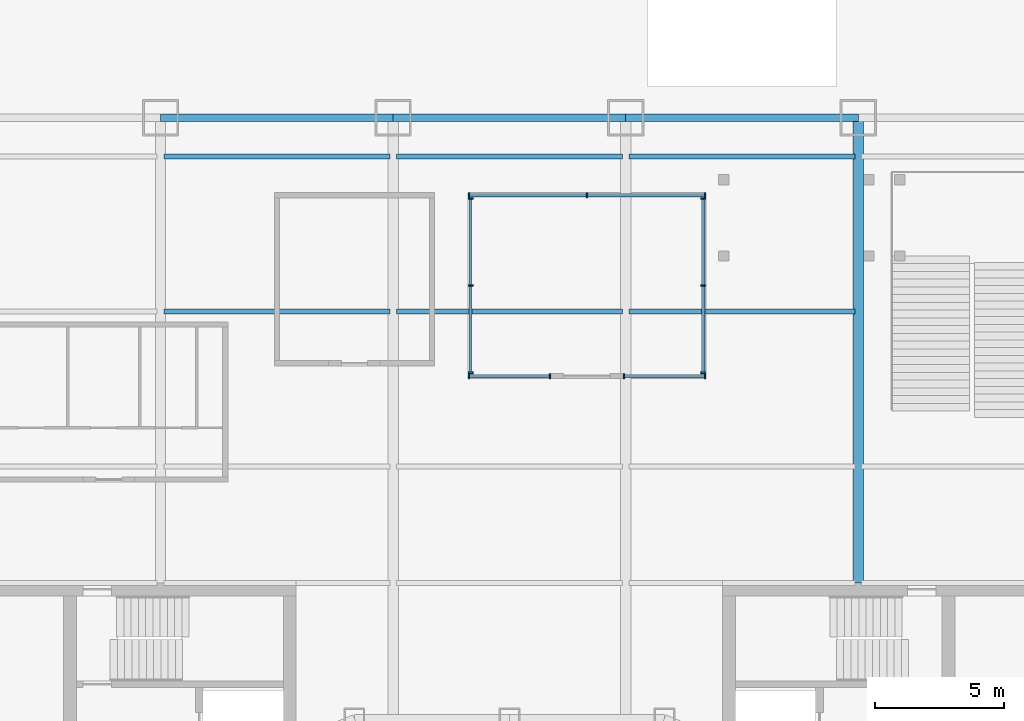
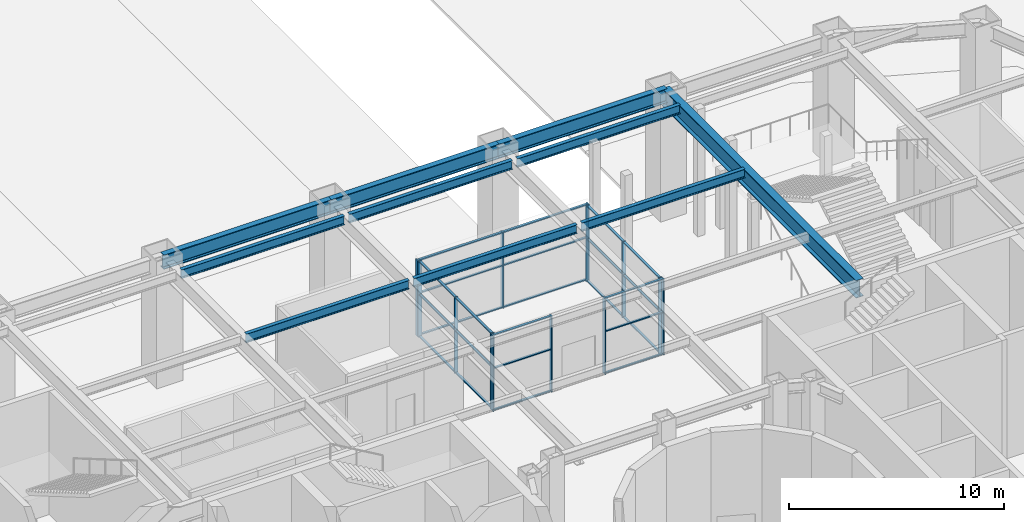
# One storey, part 9 of 20: 37 members, 10 beams, 5 elements without a shape of their own.
"""IFC4 building model written with IfcOpenShell, lengths in metres."""

import ifcopenshell
import ifcopenshell.guid

model = None  # the IFC model being written
_history = None  # IfcOwnerHistory: only IFC2X3 demands one
_inside = {}  # id of a spatial element -> (the spatial element, [elements in it])
_under = {}  # id of a project, library or spatial element -> (it, [spatial elements below it])
_declared = {}  # id of a project -> (the project, [libraries it declares])
_typed = {}  # id of a type object -> (the type object, [elements of that type])
_made_of = {}  # id of a material, layer set ... -> (it, [elements and type objects made of it])


def new_model(schema):
    """Start an empty IFC model of exactly this schema.

    Asked for "IFC4X3", IfcOpenShell would pick the latest addendum, in which some entities
    have other attributes; the version numbers below select the first issue.
    IFC2X3 requires an IfcOwnerHistory on every rooted entity: one is made here for all.
    """
    global model, _history
    if schema == "IFC4X3":
        model = ifcopenshell.file(schema_version=(4, 3, 0, 0))
    else:
        model = ifcopenshell.file(schema=schema)
    _inside.clear()
    _under.clear()
    _declared.clear()
    _typed.clear()
    _made_of.clear()
    _history = None
    if model.schema == "IFC2X3":
        org = make("IfcOrganization", Name="unknown")
        user = make(
            "IfcPersonAndOrganization",
            ThePerson=make("IfcPerson", FamilyName="unknown"),
            TheOrganization=org,
        )
        app = make(
            "IfcApplication",
            ApplicationDeveloper=org,
            Version="unknown",
            ApplicationFullName="unknown",
            ApplicationIdentifier="unknown",
        )
        _history = make(
            "IfcOwnerHistory",
            OwningUser=user,
            OwningApplication=app,
            ChangeAction="ADDED",
            CreationDate=0,
        )
    return model


def make(cls, **values):
    """One entity of the class cls with the attributes given. An attribute that is None is left unset."""
    return model.create_entity(
        cls, **{name: value for name, value in values.items() if value is not None}
    )


def rooted(cls, **values):
    """An entity with a GlobalId (a new one), such as an element, a storey or a relation."""
    return make(cls, GlobalId=ifcopenshell.guid.new(), OwnerHistory=_history, **values)


def si_unit(unit_type, name, prefix=None):
    """IfcSIUnit, for example si_unit("LENGTHUNIT", "METRE", prefix="MILLI")."""
    return make("IfcSIUnit", UnitType=unit_type, Prefix=prefix, Name=name)


def assignment(units):
    """IfcUnitAssignment: the units of a project."""
    return None if units is None else make("IfcUnitAssignment", Units=units)


def point(xyz):
    """IfcCartesianPoint."""
    return None if xyz is None else make("IfcCartesianPoint", Coordinates=xyz)


def direction(xyz):
    """IfcDirection."""
    return None if xyz is None else make("IfcDirection", DirectionRatios=xyz)


def frame(location, z_axis=None, x_axis=None):
    """IfcAxis2Placement3D, a coordinate frame: its origin and axes. An axis left out is left unset."""
    return make(
        "IfcAxis2Placement3D",
        Location=point(location),
        Axis=direction(z_axis),
        RefDirection=direction(x_axis),
    )


def frame_2d(location, x_axis=None):
    """IfcAxis2Placement2D, a coordinate frame in the plane: its origin and x axis."""
    return make(
        "IfcAxis2Placement2D", Location=point(location), RefDirection=direction(x_axis)
    )


def origin():
    """The frame at (0, 0, 0) with its axes left unset."""
    return frame((0.0, 0.0, 0.0))


def origin_2d():
    """The frame at (0, 0) in the plane with its x axis left unset."""
    return frame_2d((0.0, 0.0))


def place(relative_to, where):
    """IfcLocalPlacement: puts the frame where relative to a parent placement (None: the world)."""
    return make(
        "IfcLocalPlacement", PlacementRelTo=relative_to, RelativePlacement=where
    )


def context(
    kind, dimensions, precision=None, world=None, true_north=None, identifier=None
):
    """IfcGeometricRepresentationContext, for example the 3D "Model" context."""
    return make(
        "IfcGeometricRepresentationContext",
        ContextIdentifier=identifier,
        ContextType=kind,
        CoordinateSpaceDimension=dimensions,
        Precision=precision,
        WorldCoordinateSystem=world,
        TrueNorth=true_north,
    )


def subcontext(parent, identifier, kind, view, scale=None):
    """IfcGeometricRepresentationSubContext, for example "Body" below "Model"."""
    return make(
        "IfcGeometricRepresentationSubContext",
        ContextIdentifier=identifier,
        ContextType=kind,
        ParentContext=parent,
        TargetScale=scale,
        TargetView=view,
    )


def project(units=None, contexts=None):
    """IfcProject with its units and contexts."""
    return rooted(
        "IfcProject",
        Name="project",
        RepresentationContexts=contexts,
        UnitsInContext=assignment(units),
    )


def spatial(cls, under=None, at=None, **own):
    """A site, building, storey or space (cls), placed at a placement, below another one or the project."""
    s = rooted(cls, ObjectPlacement=at, **own)
    if under is not None:
        _under.setdefault(under.id(), (under, []))[1].append(s)
    return s


def profile(cls, at=None, kind="AREA", **sizes):
    """A parametric profile (cls). Its sizes go by their IFC names, for example OverallWidth=200.0."""
    return make(cls, ProfileType=kind, Position=at, **sizes)


def rectangle(**sizes):
    """IfcRectangleProfileDef."""
    return profile("IfcRectangleProfileDef", **sizes)


def i_section(**sizes):
    """IfcIShapeProfileDef."""
    return profile("IfcIShapeProfileDef", **sizes)


def extrude(swept, where, along, depth):
    """IfcExtrudedAreaSolid: the profile swept, set in the frame where, extruded along a direction by depth."""
    return make(
        "IfcExtrudedAreaSolid",
        SweptArea=swept,
        Position=where,
        ExtrudedDirection=direction(along),
        Depth=depth,
    )


def shape(context_of_items, identifier, shape_type, items):
    """IfcShapeRepresentation: the items that make up one representation, for example the "Body"."""
    return make(
        "IfcShapeRepresentation",
        ContextOfItems=context_of_items,
        RepresentationIdentifier=identifier,
        RepresentationType=shape_type,
        Items=items,
    )


def material(Name=None, Category=None):
    """IfcMaterial."""
    return make("IfcMaterial", Name=Name, Category=Category)


def layer(
    of_material, thickness, ventilated=None, Name=None, Category=None, Priority=None
):
    """IfcMaterialLayer: one layer of a wall or slab, of a material (None: an air gap)."""
    return make(
        "IfcMaterialLayer",
        Material=of_material,
        LayerThickness=thickness,
        IsVentilated=ventilated,
        Name=Name,
        Category=Category,
        Priority=Priority,
    )


def layer_set(layers, Name=None):
    """IfcMaterialLayerSet."""
    return make("IfcMaterialLayerSet", MaterialLayers=layers, LayerSetName=Name)


def material_profile(
    of_material, cross_section, Name=None, Category=None, Priority=None
):
    """IfcMaterialProfile: a cross section and its material."""
    return make(
        "IfcMaterialProfile",
        Name=Name,
        Material=of_material,
        Profile=cross_section,
        Priority=Priority,
        Category=Category,
    )


def profile_set(profiles, Name=None, composite=None):
    """IfcMaterialProfileSet."""
    return make(
        "IfcMaterialProfileSet",
        Name=Name,
        MaterialProfiles=profiles,
        CompositeProfile=composite,
    )


def made_of(thing, what):
    """Note that an element or type object is made of a material, layer set ...; save() writes the relation."""
    if what is not None:
        _made_of.setdefault(what.id(), (what, []))[1].append(thing)
    return thing


def type_object(cls, material=None, **own):
    """A type object (cls), such as IfcWallType, which elements share."""
    return made_of(rooted(cls, **own), material)


def element(
    cls,
    number,
    at=None,
    inside=None,
    cuts=None,
    type_object=None,
    material=None,
    context=None,
    identifier="Body",
    shape_type=None,
    held_by="IfcProductDefinitionShape",
    body=None,
    shapes=None,
    **own,
):
    """One element of the class cls, such as IfcWall. Its Tag is "e" and its number.

    at: its placement. inside: the storey or other place that contains it. cuts: it is an
    opening in that element (IfcRelVoidsElement). A single representation is given by context,
    identifier, shape_type and body (its items); several are given by shapes. held_by: the class
    of the entity that holds the representations. save() writes the other relations.
    """
    e = rooted(cls, Tag="e%d" % number, ObjectPlacement=at, **own)
    if body is not None:
        shapes = [shape(context, identifier, shape_type, body)]
    if shapes is not None:
        e.Representation = make(held_by, Representations=shapes)
    if inside is not None:
        _inside.setdefault(inside.id(), (inside, []))[1].append(e)
    if cuts is not None:
        rooted(
            "IfcRelVoidsElement", RelatingBuildingElement=cuts, RelatedOpeningElement=e
        )
    if type_object is not None:
        _typed.setdefault(type_object.id(), (type_object, []))[1].append(e)
    return made_of(e, material)


def aggregate(whole, parts):
    """IfcRelAggregates: a whole, such as a stair, and the parts it consists of."""
    return rooted("IfcRelAggregates", RelatingObject=whole, RelatedObjects=parts)


def save(model, path):
    """Write the relations noted so far, then the file.

    IfcRelAggregates (storeys below a building ...), IfcRelContainedInSpatialStructure (elements
    in a storey), IfcRelDefinesByType, IfcRelAssociatesMaterial and IfcRelDeclares: one each for
    every whole, place, type object, material and project.
    """
    for whole, parts in _under.values():
        aggregate(whole, parts)
    for where, things in _inside.values():
        rooted(
            "IfcRelContainedInSpatialStructure",
            RelatedElements=things,
            RelatingStructure=where,
        )
    for kind, things in _typed.values():
        rooted("IfcRelDefinesByType", RelatedObjects=things, RelatingType=kind)
    for what, things in _made_of.values():
        rooted("IfcRelAssociatesMaterial", RelatedObjects=things, RelatingMaterial=what)
    for by, libraries in _declared.values():
        rooted("IfcRelDeclares", RelatingContext=by, RelatedDefinitions=libraries)
    model.write(path)


model = new_model("IFC4")

# Units and contexts
model_context = context("Model", 3, precision=1e-05, world=origin(), true_north=direction((0.0, 1.0)))
body_context = subcontext(model_context, "Body", "Model", "MODEL_VIEW")
ifc_project = project(units=[si_unit("LENGTHUNIT", "METRE"), si_unit("AREAUNIT", "SQUARE_METRE"), si_unit("VOLUMEUNIT", "CUBIC_METRE"), si_unit("PLANEANGLEUNIT", "RADIAN"), si_unit("MASSUNIT", "GRAM", prefix="KILO")], contexts=[model_context])

# Site, building, storey
site_placement = place(None, origin())
site = spatial("IfcSite", under=ifc_project, at=site_placement, CompositionType="ELEMENT")
building_placement = place(site_placement, origin())
building = spatial("IfcBuilding", under=site, at=building_placement, Name="Siwar Civic Tower", CompositionType="ELEMENT")
storey_placement = place(building_placement, origin())
storey = spatial("IfcBuildingStorey", under=building, at=storey_placement, Name="L00", CompositionType="ELEMENT", Elevation=0.0)

# Curtain wall, members
ifc_material_1 = material(Name="Aluminium and glass", Category="aluminium")
ifc_layer = layer(ifc_material_1, 0.199951171875)
ifc_layer_set = layer_set([ifc_layer], Name="Aluminium and glass")
curtain_wall_type = type_object("IfcCurtainWallType", Name="GND-CWG", PredefinedType="NOTDEFINED", material=ifc_layer_set)
curtain_wall_1_placement = place(storey_placement, origin())
curtain_wall_1 = element("IfcCurtainWall", 1, at=curtain_wall_1_placement, inside=storey, type_object=curtain_wall_type, Name="Glazed screen P07", PredefinedType="NOTDEFINED")
ifc_material_2 = material(Name="Aluminium", Category="aluminium")
ifc_material_profile_1 = material_profile(ifc_material_2, rectangle(XDim=0.199951171875, YDim=0.06005859375, at=origin_2d()), Name="AL 200x60")
ifc_profile_set_1 = profile_set([ifc_material_profile_1], Name="Aluminium")
member_type_1 = type_object("IfcMemberType", Name="GND-CWG-MULLION", PredefinedType="MULLION", material=ifc_profile_set_1)
member_1_placement = place(storey_placement, frame((-1.570068359375, 21.5, 0.0), z_axis=(0.0, 0.0, 1.0), x_axis=(0.0, 1.0, 0.0)))
member_1 = element("IfcMember", 2, at=member_1_placement, type_object=member_type_1, Name="CW-G mullion 1", PredefinedType="MULLION", context=body_context, shape_type="SweptSolid", body=[
    extrude(rectangle(XDim=0.199951171875, YDim=0.06005859375, at=origin_2d()), origin(), (0.0, 0.0, 1.0), 4.300048828125),
])
member_2_placement = place(storey_placement, frame((1.570068359375, 21.5, 0.0), z_axis=(0.0, 0.0, 1.0), x_axis=(0.0, 1.0, 0.0)))
member_2 = element("IfcMember", 3, at=member_2_placement, type_object=member_type_1, Name="CW-G mullion 2", PredefinedType="MULLION", context=body_context, shape_type="SweptSolid", body=[
    extrude(rectangle(XDim=0.199951171875, YDim=0.06005859375, at=origin_2d()), origin(), (0.0, 0.0, 1.0), 4.300048828125),
])

curtain_wall_2_placement = place(storey_placement, origin())
curtain_wall_2 = element("IfcCurtainWall", 4, at=curtain_wall_2_placement, inside=storey, type_object=curtain_wall_type, Name="Glazed screen P07", PredefinedType="NOTDEFINED")
member_3_placement = place(storey_placement, frame((4.429931640625, 21.5, 0.0), z_axis=(0.0, 0.0, 1.0), x_axis=(0.0, 1.0, 0.0)))
member_3 = element("IfcMember", 5, at=member_3_placement, type_object=member_type_1, Name="CW-G mullion 1", PredefinedType="MULLION", context=body_context, shape_type="SweptSolid", body=[
    extrude(rectangle(XDim=0.199951171875, YDim=0.06005859375, at=origin_2d()), origin(), (0.0, 0.0, 1.0), 4.300048828125),
])
member_4_placement = place(storey_placement, frame((7.570068359375, 21.5, 0.0), z_axis=(0.0, 0.0, 1.0), x_axis=(0.0, 1.0, 0.0)))
member_4 = element("IfcMember", 6, at=member_4_placement, type_object=member_type_1, Name="CW-G mullion 2", PredefinedType="MULLION", context=body_context, shape_type="SweptSolid", body=[
    extrude(rectangle(XDim=0.199951171875, YDim=0.06005859375, at=origin_2d()), origin(), (0.0, 0.0, 1.0), 4.300048828125),
])

curtain_wall_3_placement = place(storey_placement, origin())
curtain_wall_3 = element("IfcCurtainWall", 7, at=curtain_wall_3_placement, inside=storey, type_object=curtain_wall_type, Name="Glazed screen P07", PredefinedType="NOTDEFINED")
member_5_placement = place(storey_placement, frame((7.5, 21.6298828125, 0.0), z_axis=(0.0, 0.0, 1.0), x_axis=(-1.0, 0.0, 0.0)))
member_5 = element("IfcMember", 8, at=member_5_placement, type_object=member_type_1, Name="CW-G mullion 1", PredefinedType="MULLION", context=body_context, shape_type="SweptSolid", body=[
    extrude(rectangle(XDim=0.199951171875, YDim=0.06005859375, at=origin_2d()), origin(), (0.0, 0.0, 1.0), 4.300048828125),
])
member_6_placement = place(storey_placement, frame((7.5, 25.0, 0.0), z_axis=(0.0, 0.0, 1.0), x_axis=(-1.0, 0.0, 0.0)))
member_6 = element("IfcMember", 9, at=member_6_placement, type_object=member_type_1, Name="CW-G mullion 2", PredefinedType="MULLION", context=body_context, shape_type="SweptSolid", body=[
    extrude(rectangle(XDim=0.199951171875, YDim=0.06005859375, at=origin_2d()), origin(), (0.0, 0.0, 1.0), 4.300048828125),
])
member_7_placement = place(storey_placement, frame((7.5, 28.3701171875, 0.0), z_axis=(0.0, 0.0, 1.0), x_axis=(-1.0, 0.0, 0.0)))
member_7 = element("IfcMember", 10, at=member_7_placement, type_object=member_type_1, Name="CW-G mullion 3", PredefinedType="MULLION", context=body_context, shape_type="SweptSolid", body=[
    extrude(rectangle(XDim=0.199951171875, YDim=0.06005859375, at=origin_2d()), origin(), (0.0, 0.0, 1.0), 4.300048828125),
])

curtain_wall_4_placement = place(storey_placement, origin())
curtain_wall_4 = element("IfcCurtainWall", 11, at=curtain_wall_4_placement, inside=storey, type_object=curtain_wall_type, Name="Glazed screen P07", PredefinedType="NOTDEFINED")
member_8_placement = place(storey_placement, frame((-1.570068359375, 28.5, 0.0), z_axis=(0.0, 0.0, 1.0), x_axis=(0.0, 1.0, 0.0)))
member_8 = element("IfcMember", 12, at=member_8_placement, type_object=member_type_1, Name="CW-G mullion 1", PredefinedType="MULLION", context=body_context, shape_type="SweptSolid", body=[
    extrude(rectangle(XDim=0.199951171875, YDim=0.06005859375, at=origin_2d()), origin(), (0.0, 0.0, 1.0), 4.300048828125),
])
member_9_placement = place(storey_placement, frame((3.0, 28.5, 0.0), z_axis=(0.0, 0.0, 1.0), x_axis=(0.0, 1.0, 0.0)))
member_9 = element("IfcMember", 13, at=member_9_placement, type_object=member_type_1, Name="CW-G mullion 2", PredefinedType="MULLION", context=body_context, shape_type="SweptSolid", body=[
    extrude(rectangle(XDim=0.199951171875, YDim=0.06005859375, at=origin_2d()), origin(), (0.0, 0.0, 1.0), 4.300048828125),
])
member_10_placement = place(storey_placement, frame((7.570068359375, 28.5, 0.0), z_axis=(0.0, 0.0, 1.0), x_axis=(0.0, 1.0, 0.0)))
member_10 = element("IfcMember", 14, at=member_10_placement, type_object=member_type_1, Name="CW-G mullion 3", PredefinedType="MULLION", context=body_context, shape_type="SweptSolid", body=[
    extrude(rectangle(XDim=0.199951171875, YDim=0.06005859375, at=origin_2d()), origin(), (0.0, 0.0, 1.0), 4.300048828125),
])

curtain_wall_5_placement = place(storey_placement, origin())
curtain_wall_5 = element("IfcCurtainWall", 15, at=curtain_wall_5_placement, inside=storey, type_object=curtain_wall_type, Name="Glazed screen P07", PredefinedType="NOTDEFINED")
member_11_placement = place(storey_placement, frame((-1.5, 21.6298828125, 0.0), z_axis=(0.0, 0.0, 1.0), x_axis=(-1.0, 0.0, 0.0)))
member_11 = element("IfcMember", 16, at=member_11_placement, type_object=member_type_1, Name="CW-G mullion 1", PredefinedType="MULLION", context=body_context, shape_type="SweptSolid", body=[
    extrude(rectangle(XDim=0.199951171875, YDim=0.06005859375, at=origin_2d()), origin(), (0.0, 0.0, 1.0), 4.300048828125),
])
member_12_placement = place(storey_placement, frame((-1.5, 25.0, 0.0), z_axis=(0.0, 0.0, 1.0), x_axis=(-1.0, 0.0, 0.0)))
member_12 = element("IfcMember", 17, at=member_12_placement, type_object=member_type_1, Name="CW-G mullion 2", PredefinedType="MULLION", context=body_context, shape_type="SweptSolid", body=[
    extrude(rectangle(XDim=0.199951171875, YDim=0.06005859375, at=origin_2d()), origin(), (0.0, 0.0, 1.0), 4.300048828125),
])
member_13_placement = place(storey_placement, frame((-1.5, 28.3701171875, 0.0), z_axis=(0.0, 0.0, 1.0), x_axis=(-1.0, 0.0, 0.0)))
member_13 = element("IfcMember", 18, at=member_13_placement, type_object=member_type_1, Name="CW-G mullion 3", PredefinedType="MULLION", context=body_context, shape_type="SweptSolid", body=[
    extrude(rectangle(XDim=0.199951171875, YDim=0.06005859375, at=origin_2d()), origin(), (0.0, 0.0, 1.0), 4.300048828125),
])

# Member
ifc_material_3 = material(Name="Aluminium", Category="aluminium")
ifc_material_profile_2 = material_profile(ifc_material_3, rectangle(XDim=0.1201171875, YDim=0.06005859375, at=origin_2d()), Name="AL 120x60")
ifc_profile_set_2 = profile_set([ifc_material_profile_2], Name="Aluminium")
member_type_2 = type_object("IfcMemberType", Name="GND-CWG-TRANSOM", PredefinedType="USERDEFINED", material=ifc_profile_set_2)
member_14_placement = place(storey_placement, frame((-1.5400390625, 21.5, 0.030029296875), z_axis=(1.0, 0.0, 0.0), x_axis=(0.0, 1.0, 0.0)))
member_14 = element("IfcMember", 19, at=member_14_placement, type_object=member_type_2, Name="CW-G transom 1.1", ObjectType="TRANSOM", PredefinedType="USERDEFINED", context=body_context, shape_type="SweptSolid", body=[
    extrude(rectangle(XDim=0.1201171875, YDim=0.06005859375, at=origin_2d()), origin(), (0.0, 0.0, 1.0), 3.080078125),
])

member_15_placement = place(storey_placement, frame((-1.5400390625, 21.5, 2.39990234375), z_axis=(1.0, 0.0, 0.0), x_axis=(0.0, 1.0, 0.0)))
member_15 = element("IfcMember", 20, at=member_15_placement, type_object=member_type_2, Name="CW-G transom 1.2", ObjectType="TRANSOM", PredefinedType="USERDEFINED", context=body_context, shape_type="SweptSolid", body=[
    extrude(rectangle(XDim=0.1201171875, YDim=0.06005859375, at=origin_2d()), origin(), (0.0, 0.0, 1.0), 3.080078125),
])

member_16_placement = place(storey_placement, frame((-1.5400390625, 21.5, 4.27001953125), z_axis=(1.0, 0.0, 0.0), x_axis=(0.0, 1.0, 0.0)))
member_16 = element("IfcMember", 21, at=member_16_placement, type_object=member_type_2, Name="CW-G transom 1.3", ObjectType="TRANSOM", PredefinedType="USERDEFINED", context=body_context, shape_type="SweptSolid", body=[
    extrude(rectangle(XDim=0.1201171875, YDim=0.06005859375, at=origin_2d()), origin(), (0.0, 0.0, 1.0), 3.080078125),
])

aggregate(curtain_wall_1, [member_1, member_2, member_14, member_15, member_16])

member_17_placement = place(storey_placement, frame((4.4599609375, 21.5, 0.030029296875), z_axis=(1.0, 0.0, 0.0), x_axis=(0.0, 1.0, 0.0)))
member_17 = element("IfcMember", 22, at=member_17_placement, type_object=member_type_2, Name="CW-G transom 1.1", ObjectType="TRANSOM", PredefinedType="USERDEFINED", context=body_context, shape_type="SweptSolid", body=[
    extrude(rectangle(XDim=0.1201171875, YDim=0.06005859375, at=origin_2d()), origin(), (0.0, 0.0, 1.0), 3.080078125),
])

member_18_placement = place(storey_placement, frame((4.4599609375, 21.5, 2.39990234375), z_axis=(1.0, 0.0, 0.0), x_axis=(0.0, 1.0, 0.0)))
member_18 = element("IfcMember", 23, at=member_18_placement, type_object=member_type_2, Name="CW-G transom 1.2", ObjectType="TRANSOM", PredefinedType="USERDEFINED", context=body_context, shape_type="SweptSolid", body=[
    extrude(rectangle(XDim=0.1201171875, YDim=0.06005859375, at=origin_2d()), origin(), (0.0, 0.0, 1.0), 3.080078125),
])

member_19_placement = place(storey_placement, frame((4.4599609375, 21.5, 4.27001953125), z_axis=(1.0, 0.0, 0.0), x_axis=(0.0, 1.0, 0.0)))
member_19 = element("IfcMember", 24, at=member_19_placement, type_object=member_type_2, Name="CW-G transom 1.3", ObjectType="TRANSOM", PredefinedType="USERDEFINED", context=body_context, shape_type="SweptSolid", body=[
    extrude(rectangle(XDim=0.1201171875, YDim=0.06005859375, at=origin_2d()), origin(), (0.0, 0.0, 1.0), 3.080078125),
])

aggregate(curtain_wall_2, [member_3, member_4, member_17, member_18, member_19])

member_20_placement = place(storey_placement, frame((7.5, 21.659912109375, 0.030029296875), z_axis=(0.0, 1.0, 0.0), x_axis=(-1.0, 0.0, 0.0)))
member_20 = element("IfcMember", 25, at=member_20_placement, type_object=member_type_2, Name="CW-G transom 1.1", ObjectType="TRANSOM", PredefinedType="USERDEFINED", context=body_context, shape_type="SweptSolid", body=[
    extrude(rectangle(XDim=0.1201171875, YDim=0.06005859375, at=origin_2d()), origin(), (0.0, 0.0, 1.0), 3.31005859375),
])

member_21_placement = place(storey_placement, frame((7.5, 21.659912109375, 2.39990234375), z_axis=(0.0, 1.0, 0.0), x_axis=(-1.0, 0.0, 0.0)))
member_21 = element("IfcMember", 26, at=member_21_placement, type_object=member_type_2, Name="CW-G transom 1.2", ObjectType="TRANSOM", PredefinedType="USERDEFINED", context=body_context, shape_type="SweptSolid", body=[
    extrude(rectangle(XDim=0.1201171875, YDim=0.06005859375, at=origin_2d()), origin(), (0.0, 0.0, 1.0), 3.31005859375),
])

member_22_placement = place(storey_placement, frame((7.5, 21.659912109375, 4.27001953125), z_axis=(0.0, 1.0, 0.0), x_axis=(-1.0, 0.0, 0.0)))
member_22 = element("IfcMember", 27, at=member_22_placement, type_object=member_type_2, Name="CW-G transom 1.3", ObjectType="TRANSOM", PredefinedType="USERDEFINED", context=body_context, shape_type="SweptSolid", body=[
    extrude(rectangle(XDim=0.1201171875, YDim=0.06005859375, at=origin_2d()), origin(), (0.0, 0.0, 1.0), 3.31005859375),
])

member_23_placement = place(storey_placement, frame((7.5, 25.030029296875, 0.030029296875), z_axis=(0.0, 1.0, 0.0), x_axis=(-1.0, 0.0, 0.0)))
member_23 = element("IfcMember", 28, at=member_23_placement, type_object=member_type_2, Name="CW-G transom 2.1", ObjectType="TRANSOM", PredefinedType="USERDEFINED", context=body_context, shape_type="SweptSolid", body=[
    extrude(rectangle(XDim=0.1201171875, YDim=0.06005859375, at=origin_2d()), origin(), (0.0, 0.0, 1.0), 3.31005859375),
])

member_24_placement = place(storey_placement, frame((7.5, 25.030029296875, 2.39990234375), z_axis=(0.0, 1.0, 0.0), x_axis=(-1.0, 0.0, 0.0)))
member_24 = element("IfcMember", 29, at=member_24_placement, type_object=member_type_2, Name="CW-G transom 2.2", ObjectType="TRANSOM", PredefinedType="USERDEFINED", context=body_context, shape_type="SweptSolid", body=[
    extrude(rectangle(XDim=0.1201171875, YDim=0.06005859375, at=origin_2d()), origin(), (0.0, 0.0, 1.0), 3.31005859375),
])

member_25_placement = place(storey_placement, frame((7.5, 25.030029296875, 4.27001953125), z_axis=(0.0, 1.0, 0.0), x_axis=(-1.0, 0.0, 0.0)))
member_25 = element("IfcMember", 30, at=member_25_placement, type_object=member_type_2, Name="CW-G transom 2.3", ObjectType="TRANSOM", PredefinedType="USERDEFINED", context=body_context, shape_type="SweptSolid", body=[
    extrude(rectangle(XDim=0.1201171875, YDim=0.06005859375, at=origin_2d()), origin(), (0.0, 0.0, 1.0), 3.31005859375),
])

aggregate(curtain_wall_3, [member_5, member_6, member_7, member_20, member_21, member_22, member_23, member_24, member_25])

member_26_placement = place(storey_placement, frame((-1.5400390625, 28.5, 0.030029296875), z_axis=(1.0, 0.0, 0.0), x_axis=(0.0, 1.0, 0.0)))
member_26 = element("IfcMember", 31, at=member_26_placement, type_object=member_type_2, Name="CW-G transom 1.1", ObjectType="TRANSOM", PredefinedType="USERDEFINED", context=body_context, shape_type="SweptSolid", body=[
    extrude(rectangle(XDim=0.1201171875, YDim=0.06005859375, at=origin_2d()), origin(), (0.0, 0.0, 1.0), 4.510009765625),
])

member_27_placement = place(storey_placement, frame((-1.5400390625, 28.5, 2.39990234375), z_axis=(1.0, 0.0, 0.0), x_axis=(0.0, 1.0, 0.0)))
member_27 = element("IfcMember", 32, at=member_27_placement, type_object=member_type_2, Name="CW-G transom 1.2", ObjectType="TRANSOM", PredefinedType="USERDEFINED", context=body_context, shape_type="SweptSolid", body=[
    extrude(rectangle(XDim=0.1201171875, YDim=0.06005859375, at=origin_2d()), origin(), (0.0, 0.0, 1.0), 4.510009765625),
])

member_28_placement = place(storey_placement, frame((-1.5400390625, 28.5, 4.27001953125), z_axis=(1.0, 0.0, 0.0), x_axis=(0.0, 1.0, 0.0)))
member_28 = element("IfcMember", 33, at=member_28_placement, type_object=member_type_2, Name="CW-G transom 1.3", ObjectType="TRANSOM", PredefinedType="USERDEFINED", context=body_context, shape_type="SweptSolid", body=[
    extrude(rectangle(XDim=0.1201171875, YDim=0.06005859375, at=origin_2d()), origin(), (0.0, 0.0, 1.0), 4.510009765625),
])

member_29_placement = place(storey_placement, frame((3.030029296875, 28.5, 0.030029296875), z_axis=(1.0, 0.0, 0.0), x_axis=(0.0, 1.0, 0.0)))
member_29 = element("IfcMember", 34, at=member_29_placement, type_object=member_type_2, Name="CW-G transom 2.1", ObjectType="TRANSOM", PredefinedType="USERDEFINED", context=body_context, shape_type="SweptSolid", body=[
    extrude(rectangle(XDim=0.1201171875, YDim=0.06005859375, at=origin_2d()), origin(), (0.0, 0.0, 1.0), 4.510009765625),
])

member_30_placement = place(storey_placement, frame((3.030029296875, 28.5, 2.39990234375), z_axis=(1.0, 0.0, 0.0), x_axis=(0.0, 1.0, 0.0)))
member_30 = element("IfcMember", 35, at=member_30_placement, type_object=member_type_2, Name="CW-G transom 2.2", ObjectType="TRANSOM", PredefinedType="USERDEFINED", context=body_context, shape_type="SweptSolid", body=[
    extrude(rectangle(XDim=0.1201171875, YDim=0.06005859375, at=origin_2d()), origin(), (0.0, 0.0, 1.0), 4.510009765625),
])

member_31_placement = place(storey_placement, frame((3.030029296875, 28.5, 4.27001953125), z_axis=(1.0, 0.0, 0.0), x_axis=(0.0, 1.0, 0.0)))
member_31 = element("IfcMember", 36, at=member_31_placement, type_object=member_type_2, Name="CW-G transom 2.3", ObjectType="TRANSOM", PredefinedType="USERDEFINED", context=body_context, shape_type="SweptSolid", body=[
    extrude(rectangle(XDim=0.1201171875, YDim=0.06005859375, at=origin_2d()), origin(), (0.0, 0.0, 1.0), 4.510009765625),
])

aggregate(curtain_wall_4, [member_8, member_9, member_10, member_26, member_27, member_28, member_29, member_30, member_31])

member_32_placement = place(storey_placement, frame((-1.5, 21.659912109375, 0.030029296875), z_axis=(0.0, 1.0, 0.0), x_axis=(-1.0, 0.0, 0.0)))
member_32 = element("IfcMember", 37, at=member_32_placement, type_object=member_type_2, Name="CW-G transom 1.1", ObjectType="TRANSOM", PredefinedType="USERDEFINED", context=body_context, shape_type="SweptSolid", body=[
    extrude(rectangle(XDim=0.1201171875, YDim=0.06005859375, at=origin_2d()), origin(), (0.0, 0.0, 1.0), 3.31005859375),
])

member_33_placement = place(storey_placement, frame((-1.5, 21.659912109375, 2.39990234375), z_axis=(0.0, 1.0, 0.0), x_axis=(-1.0, 0.0, 0.0)))
member_33 = element("IfcMember", 38, at=member_33_placement, type_object=member_type_2, Name="CW-G transom 1.2", ObjectType="TRANSOM", PredefinedType="USERDEFINED", context=body_context, shape_type="SweptSolid", body=[
    extrude(rectangle(XDim=0.1201171875, YDim=0.06005859375, at=origin_2d()), origin(), (0.0, 0.0, 1.0), 3.31005859375),
])

member_34_placement = place(storey_placement, frame((-1.5, 21.659912109375, 4.27001953125), z_axis=(0.0, 1.0, 0.0), x_axis=(-1.0, 0.0, 0.0)))
member_34 = element("IfcMember", 39, at=member_34_placement, type_object=member_type_2, Name="CW-G transom 1.3", ObjectType="TRANSOM", PredefinedType="USERDEFINED", context=body_context, shape_type="SweptSolid", body=[
    extrude(rectangle(XDim=0.1201171875, YDim=0.06005859375, at=origin_2d()), origin(), (0.0, 0.0, 1.0), 3.31005859375),
])

member_35_placement = place(storey_placement, frame((-1.5, 25.030029296875, 0.030029296875), z_axis=(0.0, 1.0, 0.0), x_axis=(-1.0, 0.0, 0.0)))
member_35 = element("IfcMember", 40, at=member_35_placement, type_object=member_type_2, Name="CW-G transom 2.1", ObjectType="TRANSOM", PredefinedType="USERDEFINED", context=body_context, shape_type="SweptSolid", body=[
    extrude(rectangle(XDim=0.1201171875, YDim=0.06005859375, at=origin_2d()), origin(), (0.0, 0.0, 1.0), 3.31005859375),
])

member_36_placement = place(storey_placement, frame((-1.5, 25.030029296875, 2.39990234375), z_axis=(0.0, 1.0, 0.0), x_axis=(-1.0, 0.0, 0.0)))
member_36 = element("IfcMember", 41, at=member_36_placement, type_object=member_type_2, Name="CW-G transom 2.2", ObjectType="TRANSOM", PredefinedType="USERDEFINED", context=body_context, shape_type="SweptSolid", body=[
    extrude(rectangle(XDim=0.1201171875, YDim=0.06005859375, at=origin_2d()), origin(), (0.0, 0.0, 1.0), 3.31005859375),
])

member_37_placement = place(storey_placement, frame((-1.5, 25.030029296875, 4.27001953125), z_axis=(0.0, 1.0, 0.0), x_axis=(-1.0, 0.0, 0.0)))
member_37 = element("IfcMember", 42, at=member_37_placement, type_object=member_type_2, Name="CW-G transom 2.3", ObjectType="TRANSOM", PredefinedType="USERDEFINED", context=body_context, shape_type="SweptSolid", body=[
    extrude(rectangle(XDim=0.1201171875, YDim=0.06005859375, at=origin_2d()), origin(), (0.0, 0.0, 1.0), 3.31005859375),
])

aggregate(curtain_wall_5, [member_11, member_12, member_13, member_32, member_33, member_34, member_35, member_36, member_37])

# Beams
ifc_material_4 = material(Name="Steel S355", Category="steel")
ifc_material_profile_3 = material_profile(ifc_material_4, i_section(OverallWidth=0.199951171875, OverallDepth=0.5, WebThickness=0.01025390625, FlangeThickness=0.01611328125, FilletRadius=0.02099609375, at=origin_2d()), Name="IPE500")
ifc_profile_set_3 = profile_set([ifc_material_profile_3], Name="Steel S355")
beam_type_1 = type_object("IfcBeamType", Name="STR-FB-IPE500", PredefinedType="JOIST", material=ifc_profile_set_3)
for number, where, z_axis, x_axis, name in (
    (43, (-13.3701171875, 24.0, 6.75), (1.0, 0.0, 0.0), (0.0, 1.0, 0.0), "L00/bm/F050"),
    (44, (-4.3701171875, 24.0, 6.75), (1.0, 0.0, 0.0), (0.0, 1.0, 0.0), "L00/bm/F051"),
    (45, (4.6298828125, 24.0, 6.75), (1.0, 0.0, 0.0), (0.0, 1.0, 0.0), "L00/bm/F052"),
    (46, (-13.3701171875, 30.0, 6.75), (1.0, 0.0, 0.0), (0.0, 1.0, 0.0), "L00/bm/F056"),
    (47, (-4.3701171875, 30.0, 6.75), (1.0, 0.0, 0.0), (0.0, 1.0, 0.0), "L00/bm/F057"),
    (48, (4.6298828125, 30.0, 6.75), (1.0, 0.0, 0.0), (0.0, 1.0, 0.0), "L00/bm/F058"),
):
    element("IfcBeam", number, at=place(storey_placement, frame(where, z_axis=z_axis, x_axis=x_axis)), inside=storey, type_object=beam_type_1, Name=name, PredefinedType="JOIST", context=body_context, shape_type="SweptSolid", body=[
        extrude(i_section(OverallWidth=0.199951171875, OverallDepth=0.5, WebThickness=0.01025390625, FlangeThickness=0.01611328125, FilletRadius=0.02099609375, at=origin_2d()), origin(), (0.0, 0.0, 1.0), 8.740234375),
    ])
ifc_material_5 = material(Name="Steel S355", Category="steel")
ifc_material_profile_4 = material_profile(ifc_material_5, i_section(OverallWidth=0.39990234375, OverallDepth=1.0, WebThickness=0.01611328125, FlangeThickness=0.0400390625, at=origin_2d()), Name="PG1000x400x16x40")
ifc_profile_set_4 = profile_set([ifc_material_profile_4], Name="Steel S355")
beam_type_2 = type_object("IfcBeamType", Name="STR-PG-PG1000x400x16x40", PredefinedType="BEAM", material=ifc_profile_set_4)
beam_placement = place(storey_placement, frame((13.5, 13.5, 6.5), z_axis=(0.0, 1.0, 0.0), x_axis=(-1.0, 0.0, 0.0)))
element("IfcBeam", 49, at=beam_placement, inside=storey, type_object=beam_type_2, Name="L00/bm/G10", PredefinedType="BEAM", context=body_context, shape_type="SweptSolid", body=[
    extrude(i_section(OverallWidth=0.39990234375, OverallDepth=1.0, WebThickness=0.01611328125, FlangeThickness=0.0400390625, at=origin_2d()), origin(), (0.0, 0.0, 1.0), 18.0),
])
ifc_material_6 = material(Name="Steel S355", Category="steel")
ifc_material_profile_5 = material_profile(ifc_material_6, i_section(OverallWidth=0.302978515625, OverallDepth=0.81396484375, WebThickness=0.02099609375, FlangeThickness=0.0400390625, FilletRadius=0.030029296875, at=origin_2d()), Name="HEM800")
ifc_profile_set_5 = profile_set([ifc_material_profile_5], Name="Steel S355")
beam_type_3 = type_object("IfcBeamType", Name="STR-SB-HEM800", PredefinedType="BEAM", material=ifc_profile_set_5)
for number, where, z_axis, x_axis, name in (
    (50, (13.5, 31.5, 6.593017578125), (-1.0, 0.0, 0.0), (0.0, -1.0, 0.0), "L00/bm/SN-1"),
    (51, (4.5, 31.5, 6.593017578125), (-1.0, 0.0, 0.0), (0.0, -1.0, 0.0), "L00/bm/SN-2"),
    (52, (-4.5, 31.5, 6.593017578125), (-1.0, 0.0, 0.0), (0.0, -1.0, 0.0), "L00/bm/SN-3"),
):
    element("IfcBeam", number, at=place(storey_placement, frame(where, z_axis=z_axis, x_axis=x_axis)), inside=storey, type_object=beam_type_3, Name=name, PredefinedType="BEAM", context=body_context, shape_type="SweptSolid", body=[
        extrude(i_section(OverallWidth=0.302978515625, OverallDepth=0.81396484375, WebThickness=0.02099609375, FlangeThickness=0.0400390625, FilletRadius=0.030029296875, at=origin_2d()), origin(), (0.0, 0.0, 1.0), 9.0),
    ])

save(model, "model.ifc")
